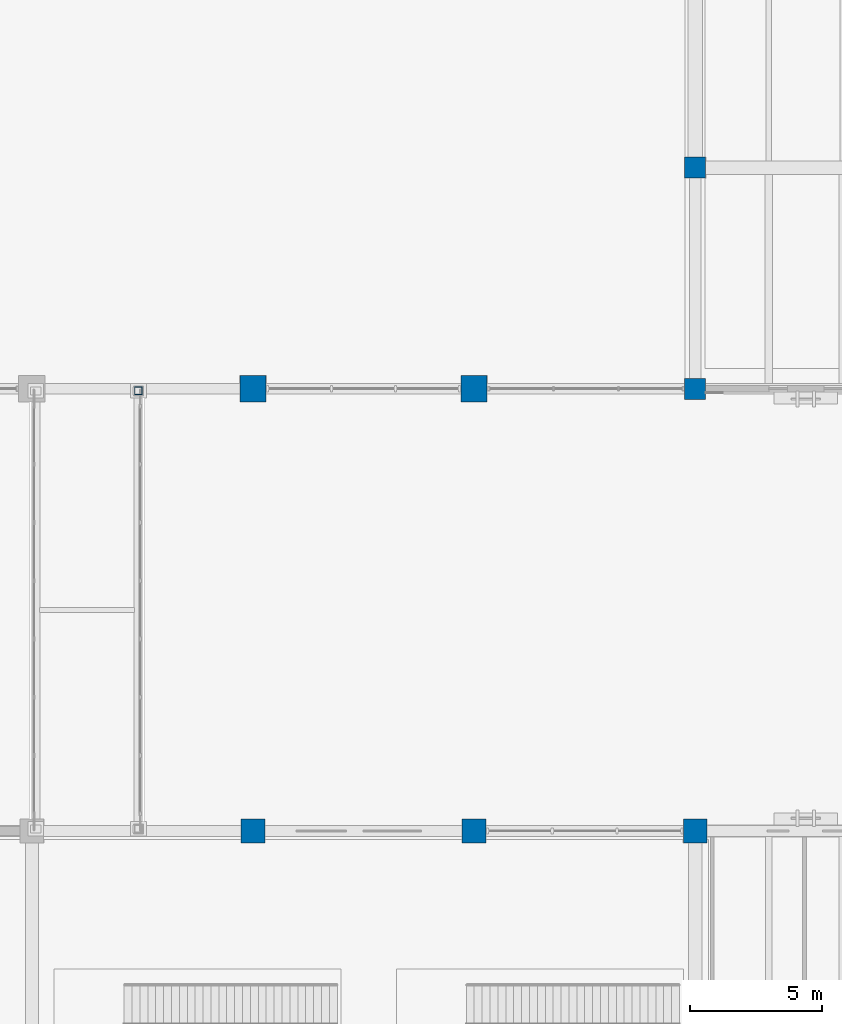
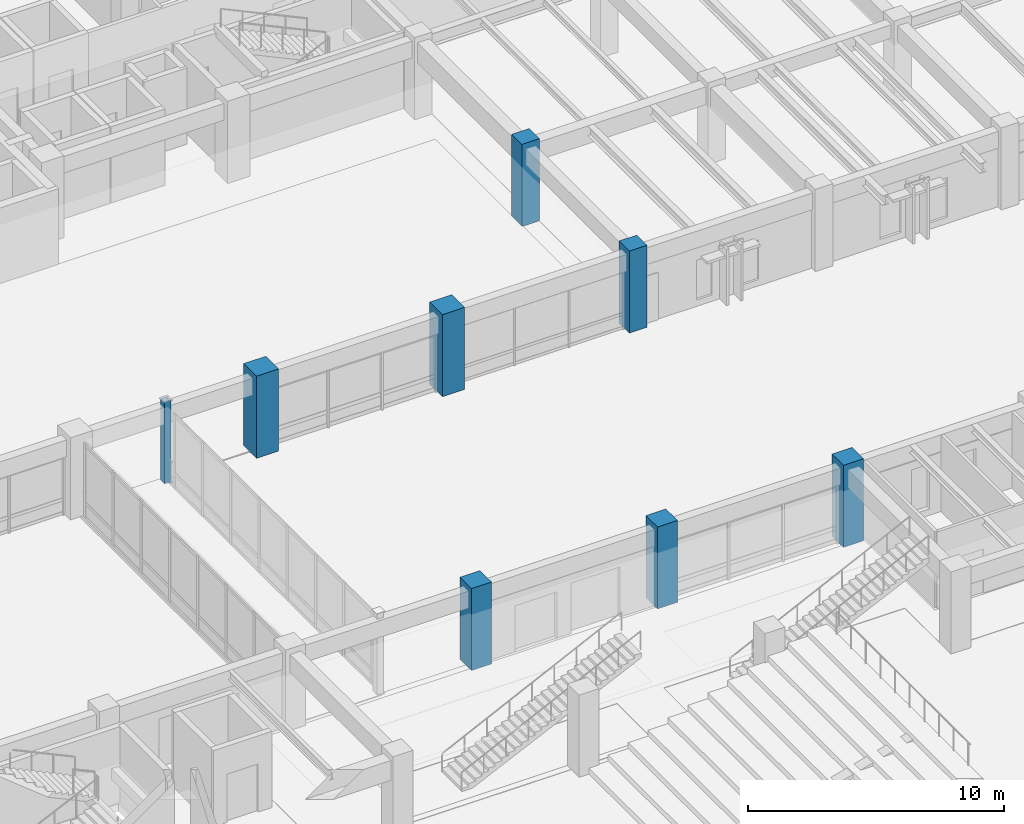
# One storey, part 10 of 135: 8 columns.
"""IFC4 building model written with IfcOpenShell, lengths in metres."""

from ifc_helpers import new_model, si_unit, direction, frame, origin, origin_2d, place, context, subcontext, project, spatial, rectangle, hollow_rectangle, extrude, material, material_profile, profile_set, type_object, element, save


model = new_model("IFC4")

# Units and contexts
model_context = context("Model", 3, precision=1e-05, world=origin(), true_north=direction((0.0, 1.0)))
body_context = subcontext(model_context, "Body", "Model", "MODEL_VIEW")
ifc_project = project(units=[si_unit("LENGTHUNIT", "METRE"), si_unit("AREAUNIT", "SQUARE_METRE"), si_unit("VOLUMEUNIT", "CUBIC_METRE"), si_unit("PLANEANGLEUNIT", "RADIAN"), si_unit("MASSUNIT", "GRAM", prefix="KILO")], contexts=[model_context])

# Site, building, storey
site_placement = place(None, origin())
site = spatial("IfcSite", under=ifc_project, at=site_placement, CompositionType="ELEMENT")
building_placement = place(site_placement, origin())
building = spatial("IfcBuilding", under=site, at=building_placement, Name="Cumbredor Promenade Congress Hotel", CompositionType="ELEMENT")
storey_placement = place(building_placement, origin())
storey = spatial("IfcBuildingStorey", under=building, at=storey_placement, Name="L00", CompositionType="ELEMENT", Elevation=0.0)

# Columns
ifc_material_1 = material(Name="Concrete C50/60", Category="concrete")
ifc_material_profile_1 = material_profile(ifc_material_1, rectangle(XDim=1.0, YDim=1.0, at=origin_2d()), Name="RC 1000x1000")
ifc_profile_set_1 = profile_set([ifc_material_profile_1], Name="Concrete C50/60")
column_type_1 = type_object("IfcColumnType", Name="COL-RC-1000", PredefinedType="COLUMN", material=ifc_profile_set_1)
for number, where, z_axis, x_axis, name in (
    (1, (33.60009765625, 84.0, 0.0), (0.0, 0.0, 1.0), (1.0, 0.0, 0.0), "L00 Structural Column 044"),
    (2, (42.0, 84.0, 0.0), (0.0, 0.0, 1.0), (1.0, 0.0, 0.0), "L00 Structural Column 052"),
):
    element("IfcColumn", number, at=place(storey_placement, frame(where, z_axis=z_axis, x_axis=x_axis)), inside=storey, type_object=column_type_1, Name=name, PredefinedType="COLUMN", context=body_context, shape_type="SweptSolid", body=[
        extrude(rectangle(XDim=1.0, YDim=1.0, at=origin_2d()), origin(), (0.0, 0.0, 1.0), 3.919921875),
    ])
ifc_material_profile_2 = material_profile(ifc_material_1, rectangle(XDim=0.800048828125, YDim=0.800048828125, at=origin_2d()), Name="RC 800x800")
ifc_profile_set_2 = profile_set([ifc_material_profile_2], Name="Concrete C50/60")
column_type_2 = type_object("IfcColumnType", Name="COL-RC-800", PredefinedType="COLUMN", material=ifc_profile_set_2)
for number, where, z_axis, x_axis, name in (
    (3, (50.39990234375, 84.0, 0.0), (0.0, 0.0, 1.0), (1.0, 0.0, 0.0), "L00 Structural Column 060"),
    (4, (50.39990234375, 92.39990234375, 0.0), (0.0, 0.0, 1.0), (1.0, 0.0, 0.0), "L00 Structural Column 061"),
):
    element("IfcColumn", number, at=place(storey_placement, frame(where, z_axis=z_axis, x_axis=x_axis)), inside=storey, type_object=column_type_2, Name=name, PredefinedType="COLUMN", context=body_context, shape_type="SweptSolid", body=[
        extrude(rectangle(XDim=0.800048828125, YDim=0.800048828125, at=origin_2d()), origin(), (0.0, 0.0, 1.0), 3.919921875),
    ])
ifc_material_profile_3 = material_profile(ifc_material_1, rectangle(XDim=0.89990234375, YDim=0.89990234375, at=origin_2d()), Name="RC 900x900")
ifc_profile_set_3 = profile_set([ifc_material_profile_3], Name="Concrete C50/60")
column_type_3 = type_object("IfcColumnType", Name="COL-RC-900", PredefinedType="COLUMN", material=ifc_profile_set_3)
for number, where, z_axis, x_axis, name in (
    (5, (33.60009765625, 67.199951171875, 0.0), (0.0, 0.0, 1.0), (1.0, 0.0, 0.0), "L00 Structural Column 043"),
    (6, (42.0, 67.199951171875, 0.0), (0.0, 0.0, 1.0), (1.0, 0.0, 0.0), "L00 Structural Column 051"),
    (7, (50.39990234375, 67.199951171875, 0.0), (0.0, 0.0, 1.0), (1.0, 0.0, 0.0), "L00 Structural Column 059"),
):
    element("IfcColumn", number, at=place(storey_placement, frame(where, z_axis=z_axis, x_axis=x_axis)), inside=storey, type_object=column_type_3, Name=name, PredefinedType="COLUMN", context=body_context, shape_type="SweptSolid", body=[
        extrude(rectangle(XDim=0.89990234375, YDim=0.89990234375, at=origin_2d()), origin(), (0.0, 0.0, 1.0), 3.919921875),
    ])
ifc_material_2 = material(Name="Steel ASTM A500 Grade C", Category="steel")
ifc_material_profile_4 = material_profile(ifc_material_2, hollow_rectangle(XDim=0.300048828125, YDim=0.300048828125, WallThickness=0.01611328125, at=origin_2d()), Name="HSS 300x300x16")
ifc_profile_set_4 = profile_set([ifc_material_profile_4], Name="Steel ASTM A500 Grade C")
column_type_4 = type_object("IfcColumnType", Name="COL-STL-HSS300", PredefinedType="COLUMN", material=ifc_profile_set_4)
column_placement = place(storey_placement, frame((29.25, 83.919921875, 0.0), z_axis=(0.0, 0.0, 1.0), x_axis=(1.0, 0.0, 0.0)))
element("IfcColumn", 8, at=column_placement, inside=storey, type_object=column_type_4, Name="L00 West Congress-to-Hotel Glazed Bridge Support Column 4", PredefinedType="COLUMN", context=body_context, shape_type="SweptSolid", body=[
    extrude(hollow_rectangle(XDim=0.300048828125, YDim=0.300048828125, WallThickness=0.01611328125, at=origin_2d()), origin(), (0.0, 0.0, 1.0), 3.919921875),
])

save(model, "model.ifc")
